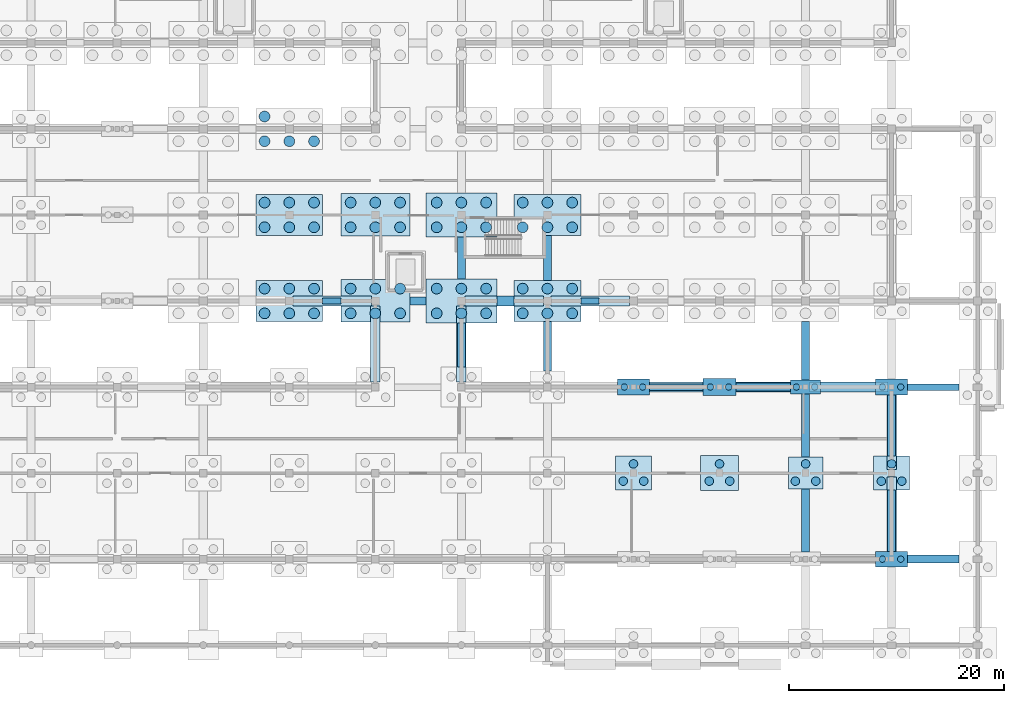
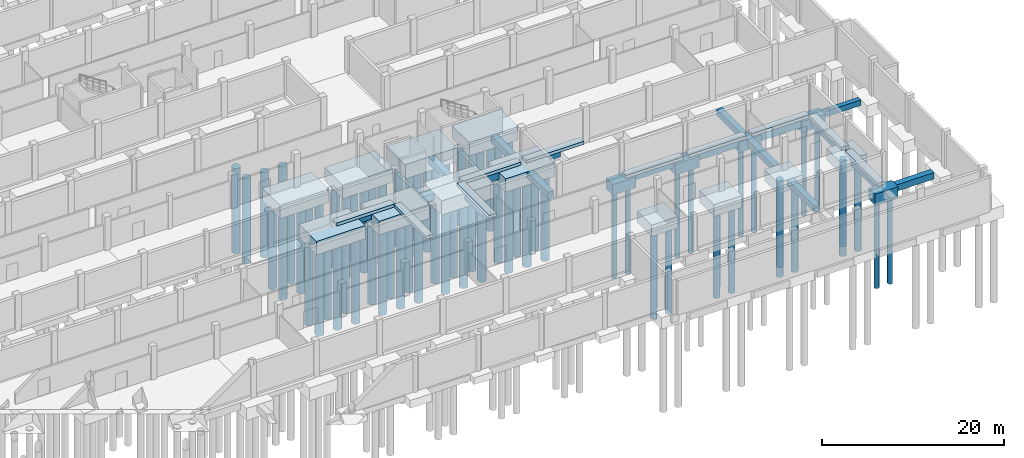
# One storey, part 12 of 51: 74 piles, 45 footings.
"""IFC4 building model written with IfcOpenShell, lengths in metres."""

from ifc_helpers import new_model, si_unit, direction, frame, origin, origin_2d, place, context, subcontext, project, spatial, rectangle, circle, extrude, material, material_profile, profile_set, type_object, element, save


model = new_model("IFC4")

# Units and contexts
model_context = context("Model", 3, precision=1e-05, world=origin(), true_north=direction((0.0, 1.0)))
body_context = subcontext(model_context, "Body", "Model", "MODEL_VIEW")
ifc_project = project(units=[si_unit("LENGTHUNIT", "METRE"), si_unit("AREAUNIT", "SQUARE_METRE"), si_unit("VOLUMEUNIT", "CUBIC_METRE"), si_unit("PLANEANGLEUNIT", "RADIAN"), si_unit("MASSUNIT", "GRAM", prefix="KILO")], contexts=[model_context])

# Site, building, storey
site_placement = place(None, origin())
site = spatial("IfcSite", under=ifc_project, at=site_placement, CompositionType="ELEMENT")
building_placement = place(site_placement, origin())
building = spatial("IfcBuilding", under=site, at=building_placement, Name="Jelvoka-Kovrelna Polytechnic", CompositionType="ELEMENT")
storey_placement = place(building_placement, frame((0.0, 0.0, -4.5)))
storey = spatial("IfcBuildingStorey", under=building, at=storey_placement, Name="B01", CompositionType="ELEMENT", Elevation=-4.5)

# Footings
ifc_material_1 = material(Name="Concrete C35/45", Category="concrete")
footing_type_1 = type_object("IfcFootingType", Name="Footing_PileCap_PC2A", PredefinedType="PILE_CAP", material=ifc_material_1)
footing_1_placement = place(storey_placement, frame((184.0, 24.0, -1.804931640625), z_axis=(0.0, 0.0, 1.0), x_axis=(1.0, 0.0, 0.0)))
element("IfcFooting", 1, at=footing_1_placement, inside=storey, type_object=footing_type_1, Name="Bored pile cap 075 (PC-2)", PredefinedType="PILE_CAP", context=body_context, shape_type="SweptSolid", body=[
    extrude(rectangle(XDim=2.800048828125, YDim=1.300048828125, at=origin_2d()), origin(), (0.0, 0.0, 1.0), 1.39990234375),
])
ifc_material_2 = material(Name="Concrete C35/45", Category="concrete")
footing_type_2 = type_object("IfcFootingType", Name="Footing_PileCap_PC2B", PredefinedType="PILE_CAP", material=ifc_material_2)
for number, where, z_axis, x_axis, name in (
    (2, (192.0, 8.0, -1.85498046875), (0.0, 0.0, 1.0), (1.0, 0.0, 0.0), "Bored pile cap 031 (PC-2)"),
    (3, (168.0, 24.0, -1.85498046875), (0.0, 0.0, 1.0), (1.0, 0.0, 0.0), "Bored pile cap 073 (PC-2)"),
    (4, (192.0, 24.0, -1.85498046875), (0.0, 0.0, 1.0), (1.0, 0.0, 0.0), "Bored pile cap 076 (PC-2)"),
):
    element("IfcFooting", number, at=place(storey_placement, frame(where, z_axis=z_axis, x_axis=x_axis)), inside=storey, type_object=footing_type_2, Name=name, PredefinedType="PILE_CAP", context=body_context, shape_type="SweptSolid", body=[
        extrude(rectangle(XDim=2.949951171875, YDim=1.449951171875, at=origin_2d()), origin(), (0.0, 0.0, 1.0), 1.449951171875),
    ])
ifc_material_3 = material(Name="Concrete C35/45", Category="concrete")
footing_type_3 = type_object("IfcFootingType", Name="Footing_PileCap_PC2C", PredefinedType="PILE_CAP", material=ifc_material_3)
footing_2_placement = place(storey_placement, frame((176.0, 24.0, -1.905029296875), z_axis=(0.0, 0.0, 1.0), x_axis=(1.0, 0.0, 0.0)))
element("IfcFooting", 5, at=footing_2_placement, inside=storey, type_object=footing_type_3, Name="Bored pile cap 074 (PC-2)", PredefinedType="PILE_CAP", context=body_context, shape_type="SweptSolid", body=[
    extrude(rectangle(XDim=3.050048828125, YDim=1.550048828125, at=origin_2d()), origin(), (0.0, 0.0, 1.0), 1.5),
])
ifc_material_4 = material(Name="Concrete C35/45", Category="concrete")
footing_type_4 = type_object("IfcFootingType", Name="Footing_PileCap_PC3A", PredefinedType="PILE_CAP", material=ifc_material_4)
footing_3_placement = place(storey_placement, frame((184.0, 16.0, -1.905029296875), z_axis=(0.0, 0.0, 1.0), x_axis=(1.0, 0.0, 0.0)))
element("IfcFooting", 6, at=footing_3_placement, inside=storey, type_object=footing_type_4, Name="Bored pile cap 051 (PC-3)", PredefinedType="PILE_CAP", context=body_context, shape_type="SweptSolid", body=[
    extrude(rectangle(XDim=3.199951171875, YDim=3.0, at=origin_2d()), origin(), (0.0, 0.0, 1.0), 1.5),
])
ifc_material_5 = material(Name="Concrete C35/45", Category="concrete")
footing_type_5 = type_object("IfcFootingType", Name="Footing_PileCap_PC3B", PredefinedType="PILE_CAP", material=ifc_material_5)
for number, where, z_axis, x_axis, name in (
    (7, (168.0, 16.0, -1.955078125), (0.0, 0.0, 1.0), (1.0, 0.0, 0.0), "Bored pile cap 049 (PC-3)"),
    (8, (192.0, 16.0, -1.955078125), (0.0, 0.0, 1.0), (1.0, 0.0, 0.0), "Bored pile cap 052 (PC-3)"),
):
    element("IfcFooting", number, at=place(storey_placement, frame(where, z_axis=z_axis, x_axis=x_axis)), inside=storey, type_object=footing_type_5, Name=name, PredefinedType="PILE_CAP", context=body_context, shape_type="SweptSolid", body=[
        extrude(rectangle(XDim=3.35009765625, YDim=3.14990234375, at=origin_2d()), origin(), (0.0, 0.0, 1.0), 1.550048828125),
    ])
ifc_material_6 = material(Name="Concrete C35/45", Category="concrete")
footing_type_6 = type_object("IfcFootingType", Name="Footing_PileCap_PC3C", PredefinedType="PILE_CAP", material=ifc_material_6)
footing_4_placement = place(storey_placement, frame((176.0, 16.0, -2.005126953125), z_axis=(0.0, 0.0, 1.0), x_axis=(1.0, 0.0, 0.0)))
element("IfcFooting", 9, at=footing_4_placement, inside=storey, type_object=footing_type_6, Name="Bored pile cap 050 (PC-3)", PredefinedType="PILE_CAP", context=body_context, shape_type="SweptSolid", body=[
    extrude(rectangle(XDim=3.5, YDim=3.25, at=origin_2d()), origin(), (0.0, 0.0, 1.0), 1.60009765625),
])
ifc_material_7 = material(Name="Concrete C35/45", Category="concrete")
footing_type_7 = type_object("IfcFootingType", Name="Footing_PileCap_PC6A", PredefinedType="PILE_CAP", material=ifc_material_7)
for number, where, z_axis, x_axis, name in (
    (10, (136.0, 32.0, -2.205078125), (0.0, 0.0, 1.0), (1.0, 0.0, 0.0), "Bored pile cap 093 (PC-6)"),
    (11, (160.0, 32.0, -2.205078125), (0.0, 0.0, 1.0), (1.0, 0.0, 0.0), "Bored pile cap 096 (PC-6)"),
    (12, (136.0, 40.0, -2.205078125), (0.0, 0.0, 1.0), (1.0, 0.0, 0.0), "Bored pile cap 120 (PC-6)"),
    (13, (160.0, 40.0, -2.205078125), (0.0, 0.0, 1.0), (1.0, 0.0, 0.0), "Bored pile cap 123 (PC-6)"),
):
    element("IfcFooting", number, at=place(storey_placement, frame(where, z_axis=z_axis, x_axis=x_axis)), inside=storey, type_object=footing_type_7, Name=name, PredefinedType="PILE_CAP", context=body_context, shape_type="SweptSolid", body=[
        extrude(rectangle(XDim=6.199951171875, YDim=3.800048828125, at=origin_2d()), origin(), (0.0, 0.0, 1.0), 1.800048828125),
    ])
ifc_material_8 = material(Name="Concrete C35/45", Category="concrete")
footing_type_8 = type_object("IfcFootingType", Name="Footing_PileCap_PC6B", PredefinedType="PILE_CAP", material=ifc_material_8)
for number, where, z_axis, x_axis, name in (
    (14, (144.0, 32.0, -2.255126953125), (0.0, 0.0, 1.0), (1.0, 0.0, 0.0), "Bored pile cap 094 (PC-6)"),
    (15, (144.0, 40.0, -2.255126953125), (0.0, 0.0, 1.0), (1.0, 0.0, 0.0), "Bored pile cap 121 (PC-6)"),
):
    element("IfcFooting", number, at=place(storey_placement, frame(where, z_axis=z_axis, x_axis=x_axis)), inside=storey, type_object=footing_type_8, Name=name, PredefinedType="PILE_CAP", context=body_context, shape_type="SweptSolid", body=[
        extrude(rectangle(XDim=6.39990234375, YDim=3.949951171875, at=origin_2d()), origin(), (0.0, 0.0, 1.0), 1.85009765625),
    ])
ifc_material_9 = material(Name="Concrete C35/45", Category="concrete")
footing_type_9 = type_object("IfcFootingType", Name="Footing_PileCap_PC6C", PredefinedType="PILE_CAP", material=ifc_material_9)
for number, where, z_axis, x_axis, name in (
    (16, (152.0, 32.0, -2.304931640625), (0.0, 0.0, 1.0), (1.0, 0.0, 0.0), "Bored pile cap 095 (PC-6)"),
    (17, (152.0, 40.0, -2.304931640625), (0.0, 0.0, 1.0), (1.0, 0.0, 0.0), "Bored pile cap 122 (PC-6)"),
):
    element("IfcFooting", number, at=place(storey_placement, frame(where, z_axis=z_axis, x_axis=x_axis)), inside=storey, type_object=footing_type_9, Name=name, PredefinedType="PILE_CAP", context=body_context, shape_type="SweptSolid", body=[
        extrude(rectangle(XDim=6.60009765625, YDim=4.10009765625, at=origin_2d()), origin(), (0.0, 0.0, 1.0), 1.89990234375),
    ])
ifc_material_10 = material(Name="Concrete C35/45", Category="concrete")
footing_type_10 = type_object("IfcFootingType", Name="Footing_Strip_SF1", PredefinedType="STRIP_FOOTING", material=ifc_material_10)
for number, where, z_axis, x_axis, name in (
    (18, (139.949951171875, 32.0, -1.155029296875), (0.0, 0.0, 1.0), (1.0, 0.0, 0.0), "Strip foundation tie beam 175"),
    (19, (163.949951171875, 32.0, -1.155029296875), (0.0, 0.0, 1.0), (1.0, 0.0, 0.0), "Strip foundation tie beam 218"),
):
    element("IfcFooting", number, at=place(storey_placement, frame(where, z_axis=z_axis, x_axis=x_axis)), inside=storey, type_object=footing_type_10, Name=name, PredefinedType="STRIP_FOOTING", context=body_context, shape_type="SweptSolid", body=[
        extrude(rectangle(XDim=1.696044921875, YDim=0.60009765625, at=origin_2d()), origin(), (0.0, 0.0, 1.0), 0.75),
    ])
footing_5_placement = place(storey_placement, frame((171.97509765625, 24.0, -1.155029296875), z_axis=(0.0, 0.0, 1.0), x_axis=(1.0, 0.0, 0.0)))
element("IfcFooting", 20, at=footing_5_placement, inside=storey, type_object=footing_type_10, Name="Strip foundation tie beam 234", PredefinedType="STRIP_FOOTING", context=body_context, shape_type="SweptSolid", body=[
    extrude(rectangle(XDim=4.99609375, YDim=0.60009765625, at=origin_2d()), origin(), (0.0, 0.0, 1.0), 0.75),
])
footing_6_placement = place(storey_placement, frame((195.862548828125, 24.0, -1.155029296875), z_axis=(0.0, 0.0, 1.0), x_axis=(1.0, 0.0, 0.0)))
element("IfcFooting", 21, at=footing_6_placement, inside=storey, type_object=footing_type_10, Name="Strip foundation tie beam 276", PredefinedType="STRIP_FOOTING", context=body_context, shape_type="SweptSolid", body=[
    extrude(rectangle(XDim=4.77099609375, YDim=0.60009765625, at=origin_2d()), origin(), (0.0, 0.0, 1.0), 0.75),
])
ifc_material_11 = material(Name="Concrete C35/45", Category="concrete")
footing_type_11 = type_object("IfcFootingType", Name="Footing_Strip_SF2", PredefinedType="STRIP_FOOTING", material=ifc_material_11)
footing_7_placement = place(storey_placement, frame((147.949951171875, 32.0, -1.255126953125), z_axis=(0.0, 0.0, 1.0), x_axis=(1.0, 0.0, 0.0)))
element("IfcFooting", 22, at=footing_7_placement, inside=storey, type_object=footing_type_11, Name="Strip foundation tie beam 184", PredefinedType="STRIP_FOOTING", context=body_context, shape_type="SweptSolid", body=[
    extrude(rectangle(XDim=1.49609375, YDim=0.75, at=origin_2d()), origin(), (0.0, 0.0, 1.0), 0.85009765625),
])
footing_8_placement = place(storey_placement, frame((152.0, 27.91259765625, -1.255126953125), z_axis=(0.0, 0.0, 1.0), x_axis=(0.0, 1.0, 0.0)))
element("IfcFooting", 23, at=footing_8_placement, inside=storey, type_object=footing_type_11, Name="Strip foundation tie beam 196", PredefinedType="STRIP_FOOTING", context=body_context, shape_type="SweptSolid", body=[
    extrude(rectangle(XDim=4.071044921875, YDim=0.75, at=origin_2d()), origin(), (0.0, 0.0, 1.0), 0.85009765625),
])
footing_9_placement = place(storey_placement, frame((152.0, 36.0, -1.255126953125), z_axis=(0.0, 0.0, 1.0), x_axis=(0.0, 1.0, 0.0)))
element("IfcFooting", 24, at=footing_9_placement, inside=storey, type_object=footing_type_11, Name="Strip foundation tie beam 198", PredefinedType="STRIP_FOOTING", context=body_context, shape_type="SweptSolid", body=[
    extrude(rectangle(XDim=3.89599609375, YDim=0.75, at=origin_2d()), origin(), (0.0, 0.0, 1.0), 0.85009765625),
])
footing_10_placement = place(storey_placement, frame((160.0, 27.800048828125, -1.255126953125), z_axis=(0.0, 0.0, 1.0), x_axis=(0.0, 1.0, 0.0)))
element("IfcFooting", 25, at=footing_10_placement, inside=storey, type_object=footing_type_11, Name="Strip foundation tie beam 217", PredefinedType="STRIP_FOOTING", context=body_context, shape_type="SweptSolid", body=[
    extrude(rectangle(XDim=4.595947265625, YDim=0.75, at=origin_2d()), origin(), (0.0, 0.0, 1.0), 0.85009765625),
])
footing_11_placement = place(storey_placement, frame((160.0, 36.0, -1.255126953125), z_axis=(0.0, 0.0, 1.0), x_axis=(0.0, 1.0, 0.0)))
element("IfcFooting", 26, at=footing_11_placement, inside=storey, type_object=footing_type_11, Name="Strip foundation tie beam 219", PredefinedType="STRIP_FOOTING", context=body_context, shape_type="SweptSolid", body=[
    extrude(rectangle(XDim=4.196044921875, YDim=0.75, at=origin_2d()), origin(), (0.0, 0.0, 1.0), 0.85009765625),
])
footing_12_placement = place(storey_placement, frame((180.0625, 24.0, -1.255126953125), z_axis=(0.0, 0.0, 1.0), x_axis=(1.0, 0.0, 0.0)))
element("IfcFooting", 27, at=footing_12_placement, inside=storey, type_object=footing_type_11, Name="Strip foundation tie beam 243", PredefinedType="STRIP_FOOTING", context=body_context, shape_type="SweptSolid", body=[
    extrude(rectangle(XDim=5.071044921875, YDim=0.75, at=origin_2d()), origin(), (0.0, 0.0, 1.0), 0.85009765625),
])
for number, where, z_axis, x_axis, name in (
    (28, (184.0, 11.574951171875, -1.255126953125), (0.0, 0.0, 1.0), (0.0, 1.0, 0.0), "Strip foundation tie beam 253"),
    (29, (184.0, 20.425048828125, -1.255126953125), (0.0, 0.0, 1.0), (0.0, 1.0, 0.0), "Strip foundation tie beam 254"),
):
    element("IfcFooting", number, at=place(storey_placement, frame(where, z_axis=z_axis, x_axis=x_axis)), inside=storey, type_object=footing_type_11, Name=name, PredefinedType="STRIP_FOOTING", context=body_context, shape_type="SweptSolid", body=[
        extrude(rectangle(XDim=5.845947265625, YDim=0.75, at=origin_2d()), origin(), (0.0, 0.0, 1.0), 0.85009765625),
    ])
footing_13_placement = place(storey_placement, frame((184.0, 27.375, -1.255126953125), z_axis=(0.0, 0.0, 1.0), x_axis=(0.0, 1.0, 0.0)))
element("IfcFooting", 30, at=footing_13_placement, inside=storey, type_object=footing_type_11, Name="Strip foundation tie beam 256", PredefinedType="STRIP_FOOTING", context=body_context, shape_type="SweptSolid", body=[
    extrude(rectangle(XDim=5.446044921875, YDim=0.75, at=origin_2d()), origin(), (0.0, 0.0, 1.0), 0.85009765625),
])
footing_14_placement = place(storey_placement, frame((195.862548828125, 8.0, -1.255126953125), z_axis=(0.0, 0.0, 1.0), x_axis=(1.0, 0.0, 0.0)))
element("IfcFooting", 31, at=footing_14_placement, inside=storey, type_object=footing_type_11, Name="Strip foundation tie beam 273", PredefinedType="STRIP_FOOTING", context=body_context, shape_type="SweptSolid", body=[
    extrude(rectangle(XDim=4.77099609375, YDim=0.75, at=origin_2d()), origin(), (0.0, 0.0, 1.0), 0.85009765625),
])
for number, where, z_axis, x_axis, name in (
    (32, (192.0, 11.574951171875, -1.255126953125), (0.0, 0.0, 1.0), (0.0, 1.0, 0.0), "Strip foundation tie beam 274"),
    (33, (192.0, 20.425048828125, -1.255126953125), (0.0, 0.0, 1.0), (0.0, 1.0, 0.0), "Strip foundation tie beam 275"),
):
    element("IfcFooting", number, at=place(storey_placement, frame(where, z_axis=z_axis, x_axis=x_axis)), inside=storey, type_object=footing_type_11, Name=name, PredefinedType="STRIP_FOOTING", context=body_context, shape_type="SweptSolid", body=[
        extrude(rectangle(XDim=5.696044921875, YDim=0.75, at=origin_2d()), origin(), (0.0, 0.0, 1.0), 0.85009765625),
    ])
ifc_material_12 = material(Name="Concrete C35/45", Category="concrete")
footing_type_12 = type_object("IfcFootingType", Name="Footing_Strip_SF3", PredefinedType="STRIP_FOOTING", material=ifc_material_12)
footing_15_placement = place(storey_placement, frame((156.10009765625, 32.0, -1.35498046875), z_axis=(0.0, 0.0, 1.0), x_axis=(1.0, 0.0, 0.0)))
element("IfcFooting", 34, at=footing_15_placement, inside=storey, type_object=footing_type_12, Name="Strip foundation tie beam 197", PredefinedType="STRIP_FOOTING", context=body_context, shape_type="SweptSolid", body=[
    extrude(rectangle(XDim=1.595947265625, YDim=0.89990234375, at=origin_2d()), origin(), (0.0, 0.0, 1.0), 0.949951171875),
])
footing_16_placement = place(storey_placement, frame((187.96240234375, 24.0, -1.35498046875), z_axis=(0.0, 0.0, 1.0), x_axis=(1.0, 0.0, 0.0)))
element("IfcFooting", 35, at=footing_16_placement, inside=storey, type_object=footing_type_12, Name="Strip foundation tie beam 255", PredefinedType="STRIP_FOOTING", context=body_context, shape_type="SweptSolid", body=[
    extrude(rectangle(XDim=5.12109375, YDim=0.89990234375, at=origin_2d()), origin(), (0.0, 0.0, 1.0), 0.949951171875),
])
for number, where, z_axis, x_axis, name in (
    (36, (172.0, 24.0, -0.40478515625), (0.0, 0.0, 1.0), (1.0, 0.0, 0.0), "Strip foundation plinth beam B01W-028"),
    (37, (180.0, 24.0, -0.40478515625), (0.0, 0.0, 1.0), (1.0, 0.0, 0.0), "Strip foundation plinth beam B01W-030"),
    (38, (188.0, 24.0, -0.40478515625), (0.0, 0.0, 1.0), (1.0, 0.0, 0.0), "Strip foundation plinth beam B01W-032"),
):
    element("IfcFooting", number, at=place(storey_placement, frame(where, z_axis=z_axis, x_axis=x_axis)), inside=storey, type_object=footing_type_12, Name=name, PredefinedType="STRIP_FOOTING", context=body_context, shape_type="SweptSolid", body=[
        extrude(rectangle(XDim=7.300048828125, YDim=0.89990234375, at=origin_2d()), origin(), (0.0, 0.0, 1.0), 0.405029296875),
    ])
for number, where, z_axis, x_axis, name in (
    (39, (192.0, 12.051025390625, -0.40478515625), (0.0, 0.0, 1.0), (0.0, 1.0, 0.0), "Strip foundation plinth beam B01W-034"),
    (40, (192.0, 19.948974609375, -0.40478515625), (0.0, 0.0, 1.0), (0.0, 1.0, 0.0), "Strip foundation plinth beam B01W-036"),
):
    element("IfcFooting", number, at=place(storey_placement, frame(where, z_axis=z_axis, x_axis=x_axis)), inside=storey, type_object=footing_type_12, Name=name, PredefinedType="STRIP_FOOTING", context=body_context, shape_type="SweptSolid", body=[
        extrude(rectangle(XDim=7.197998046875, YDim=0.89990234375, at=origin_2d()), origin(), (0.0, 0.0, 1.0), 0.405029296875),
    ])
for number, where, z_axis, x_axis, name in (
    (41, (140.0, 32.0, -0.40478515625), (0.0, 0.0, 1.0), (1.0, 0.0, 0.0), "Strip foundation plinth beam B01W-055"),
    (42, (156.0, 32.0, -0.40478515625), (0.0, 0.0, 1.0), (1.0, 0.0, 0.0), "Strip foundation plinth beam B01W-057"),
    (43, (164.0, 32.0, -0.40478515625), (0.0, 0.0, 1.0), (1.0, 0.0, 0.0), "Strip foundation plinth beam B01W-059"),
):
    element("IfcFooting", number, at=place(storey_placement, frame(where, z_axis=z_axis, x_axis=x_axis)), inside=storey, type_object=footing_type_12, Name=name, PredefinedType="STRIP_FOOTING", context=body_context, shape_type="SweptSolid", body=[
        extrude(rectangle(XDim=7.300048828125, YDim=0.89990234375, at=origin_2d()), origin(), (0.0, 0.0, 1.0), 0.405029296875),
    ])
for number, where, z_axis, x_axis, name in (
    (44, (144.0, 28.0, -0.40478515625), (0.0, 0.0, 1.0), (0.0, 1.0, 0.0), "Strip foundation plinth beam B01W-111"),
    (45, (152.0, 28.0, -0.40478515625), (0.0, 0.0, 1.0), (0.0, 1.0, 0.0), "Strip foundation plinth beam B01W-113"),
):
    element("IfcFooting", number, at=place(storey_placement, frame(where, z_axis=z_axis, x_axis=x_axis)), inside=storey, type_object=footing_type_12, Name=name, PredefinedType="STRIP_FOOTING", context=body_context, shape_type="SweptSolid", body=[
        extrude(rectangle(XDim=7.095947265625, YDim=0.89990234375, at=origin_2d()), origin(), (0.0, 0.0, 1.0), 0.405029296875),
    ])

# Piles
ifc_material_13 = material(Name="Concrete C35/45", Category="concrete")
ifc_material_profile_1 = material_profile(ifc_material_13, circle(Radius=0.5, at=origin_2d()), Name="PILE D1000")
ifc_profile_set_1 = profile_set([ifc_material_profile_1], Name="Concrete C35/45")
pile_type_1 = type_object("IfcPileType", Name="Pile_Bored_1000", PredefinedType="BORED", material=ifc_profile_set_1)
for number, where, z_axis, x_axis, name in (
    (46, (133.699951171875, 30.85009765625, -2.10498046875), (0.0, 0.0, -1.0), (1.0, 0.0, 0.0), "Bored concrete pile 093-1"),
    (47, (136.0, 30.85009765625, -2.10498046875), (0.0, 0.0, -1.0), (1.0, 0.0, 0.0), "Bored concrete pile 093-2"),
    (48, (138.300048828125, 30.85009765625, -2.10498046875), (0.0, 0.0, -1.0), (1.0, 0.0, 0.0), "Bored concrete pile 093-3"),
    (49, (133.699951171875, 33.14990234375, -2.10498046875), (0.0, 0.0, -1.0), (1.0, 0.0, 0.0), "Bored concrete pile 093-4"),
    (50, (136.0, 33.14990234375, -2.10498046875), (0.0, 0.0, -1.0), (1.0, 0.0, 0.0), "Bored concrete pile 093-5"),
    (51, (138.300048828125, 33.14990234375, -2.10498046875), (0.0, 0.0, -1.0), (1.0, 0.0, 0.0), "Bored concrete pile 093-6"),
):
    element("IfcPile", number, at=place(storey_placement, frame(where, z_axis=z_axis, x_axis=x_axis)), inside=storey, type_object=pile_type_1, Name=name, PredefinedType="BORED", context=body_context, shape_type="SweptSolid", body=[
        extrude(circle(Radius=0.5, at=origin_2d()), origin(), (0.0, 0.0, 1.0), 11.39501953125),
    ])
for number, where, z_axis, x_axis, name in (
    (52, (141.699951171875, 30.85009765625, -2.155029296875), (0.0, 0.0, -1.0), (1.0, 0.0, 0.0), "Bored concrete pile 094-1"),
    (53, (144.0, 30.85009765625, -2.155029296875), (0.0, 0.0, -1.0), (1.0, 0.0, 0.0), "Bored concrete pile 094-2"),
    (54, (146.300048828125, 30.85009765625, -2.155029296875), (0.0, 0.0, -1.0), (1.0, 0.0, 0.0), "Bored concrete pile 094-3"),
    (55, (141.699951171875, 33.14990234375, -2.155029296875), (0.0, 0.0, -1.0), (1.0, 0.0, 0.0), "Bored concrete pile 094-4"),
    (56, (144.0, 33.14990234375, -2.155029296875), (0.0, 0.0, -1.0), (1.0, 0.0, 0.0), "Bored concrete pile 094-5"),
    (57, (146.300048828125, 33.14990234375, -2.155029296875), (0.0, 0.0, -1.0), (1.0, 0.0, 0.0), "Bored concrete pile 094-6"),
):
    element("IfcPile", number, at=place(storey_placement, frame(where, z_axis=z_axis, x_axis=x_axis)), inside=storey, type_object=pile_type_1, Name=name, PredefinedType="BORED", context=body_context, shape_type="SweptSolid", body=[
        extrude(circle(Radius=0.5, at=origin_2d()), origin(), (0.0, 0.0, 1.0), 11.344970703125),
    ])
for number, where, z_axis, x_axis, name in (
    (58, (149.699951171875, 30.85009765625, -2.205078125), (0.0, 0.0, -1.0), (1.0, 0.0, 0.0), "Bored concrete pile 095-1"),
    (59, (152.0, 30.85009765625, -2.205078125), (0.0, 0.0, -1.0), (1.0, 0.0, 0.0), "Bored concrete pile 095-2"),
    (60, (154.300048828125, 30.85009765625, -2.205078125), (0.0, 0.0, -1.0), (1.0, 0.0, 0.0), "Bored concrete pile 095-3"),
    (61, (149.699951171875, 33.14990234375, -2.205078125), (0.0, 0.0, -1.0), (1.0, 0.0, 0.0), "Bored concrete pile 095-4"),
    (62, (152.0, 33.14990234375, -2.205078125), (0.0, 0.0, -1.0), (1.0, 0.0, 0.0), "Bored concrete pile 095-5"),
    (63, (154.300048828125, 33.14990234375, -2.205078125), (0.0, 0.0, -1.0), (1.0, 0.0, 0.0), "Bored concrete pile 095-6"),
):
    element("IfcPile", number, at=place(storey_placement, frame(where, z_axis=z_axis, x_axis=x_axis)), inside=storey, type_object=pile_type_1, Name=name, PredefinedType="BORED", context=body_context, shape_type="SweptSolid", body=[
        extrude(circle(Radius=0.5, at=origin_2d()), origin(), (0.0, 0.0, 1.0), 11.294921875),
    ])
for number, where, z_axis, x_axis, name in (
    (64, (157.699951171875, 30.85009765625, -2.10498046875), (0.0, 0.0, -1.0), (1.0, 0.0, 0.0), "Bored concrete pile 096-1"),
    (65, (160.0, 30.85009765625, -2.10498046875), (0.0, 0.0, -1.0), (1.0, 0.0, 0.0), "Bored concrete pile 096-2"),
    (66, (162.300048828125, 30.85009765625, -2.10498046875), (0.0, 0.0, -1.0), (1.0, 0.0, 0.0), "Bored concrete pile 096-3"),
    (67, (157.699951171875, 33.14990234375, -2.10498046875), (0.0, 0.0, -1.0), (1.0, 0.0, 0.0), "Bored concrete pile 096-4"),
    (68, (160.0, 33.14990234375, -2.10498046875), (0.0, 0.0, -1.0), (1.0, 0.0, 0.0), "Bored concrete pile 096-5"),
    (69, (162.300048828125, 33.14990234375, -2.10498046875), (0.0, 0.0, -1.0), (1.0, 0.0, 0.0), "Bored concrete pile 096-6"),
    (70, (133.699951171875, 38.85009765625, -2.10498046875), (0.0, 0.0, -1.0), (1.0, 0.0, 0.0), "Bored concrete pile 120-1"),
    (71, (136.0, 38.85009765625, -2.10498046875), (0.0, 0.0, -1.0), (1.0, 0.0, 0.0), "Bored concrete pile 120-2"),
    (72, (138.300048828125, 38.85009765625, -2.10498046875), (0.0, 0.0, -1.0), (1.0, 0.0, 0.0), "Bored concrete pile 120-3"),
    (73, (133.699951171875, 41.14990234375, -2.10498046875), (0.0, 0.0, -1.0), (1.0, 0.0, 0.0), "Bored concrete pile 120-4"),
    (74, (136.0, 41.14990234375, -2.10498046875), (0.0, 0.0, -1.0), (1.0, 0.0, 0.0), "Bored concrete pile 120-5"),
    (75, (138.300048828125, 41.14990234375, -2.10498046875), (0.0, 0.0, -1.0), (1.0, 0.0, 0.0), "Bored concrete pile 120-6"),
):
    element("IfcPile", number, at=place(storey_placement, frame(where, z_axis=z_axis, x_axis=x_axis)), inside=storey, type_object=pile_type_1, Name=name, PredefinedType="BORED", context=body_context, shape_type="SweptSolid", body=[
        extrude(circle(Radius=0.5, at=origin_2d()), origin(), (0.0, 0.0, 1.0), 11.39501953125),
    ])
for number, where, z_axis, x_axis, name in (
    (76, (141.699951171875, 38.85009765625, -2.155029296875), (0.0, 0.0, -1.0), (1.0, 0.0, 0.0), "Bored concrete pile 121-1"),
    (77, (144.0, 38.85009765625, -2.155029296875), (0.0, 0.0, -1.0), (1.0, 0.0, 0.0), "Bored concrete pile 121-2"),
    (78, (146.300048828125, 38.85009765625, -2.155029296875), (0.0, 0.0, -1.0), (1.0, 0.0, 0.0), "Bored concrete pile 121-3"),
    (79, (141.699951171875, 41.14990234375, -2.155029296875), (0.0, 0.0, -1.0), (1.0, 0.0, 0.0), "Bored concrete pile 121-4"),
    (80, (144.0, 41.14990234375, -2.155029296875), (0.0, 0.0, -1.0), (1.0, 0.0, 0.0), "Bored concrete pile 121-5"),
    (81, (146.300048828125, 41.14990234375, -2.155029296875), (0.0, 0.0, -1.0), (1.0, 0.0, 0.0), "Bored concrete pile 121-6"),
):
    element("IfcPile", number, at=place(storey_placement, frame(where, z_axis=z_axis, x_axis=x_axis)), inside=storey, type_object=pile_type_1, Name=name, PredefinedType="BORED", context=body_context, shape_type="SweptSolid", body=[
        extrude(circle(Radius=0.5, at=origin_2d()), origin(), (0.0, 0.0, 1.0), 11.344970703125),
    ])
for number, where, z_axis, x_axis, name in (
    (82, (149.699951171875, 38.85009765625, -2.205078125), (0.0, 0.0, -1.0), (1.0, 0.0, 0.0), "Bored concrete pile 122-1"),
    (83, (152.0, 38.85009765625, -2.205078125), (0.0, 0.0, -1.0), (1.0, 0.0, 0.0), "Bored concrete pile 122-2"),
    (84, (154.300048828125, 38.85009765625, -2.205078125), (0.0, 0.0, -1.0), (1.0, 0.0, 0.0), "Bored concrete pile 122-3"),
    (85, (149.699951171875, 41.14990234375, -2.205078125), (0.0, 0.0, -1.0), (1.0, 0.0, 0.0), "Bored concrete pile 122-4"),
    (86, (152.0, 41.14990234375, -2.205078125), (0.0, 0.0, -1.0), (1.0, 0.0, 0.0), "Bored concrete pile 122-5"),
    (87, (154.300048828125, 41.14990234375, -2.205078125), (0.0, 0.0, -1.0), (1.0, 0.0, 0.0), "Bored concrete pile 122-6"),
):
    element("IfcPile", number, at=place(storey_placement, frame(where, z_axis=z_axis, x_axis=x_axis)), inside=storey, type_object=pile_type_1, Name=name, PredefinedType="BORED", context=body_context, shape_type="SweptSolid", body=[
        extrude(circle(Radius=0.5, at=origin_2d()), origin(), (0.0, 0.0, 1.0), 11.294921875),
    ])
for number, where, z_axis, x_axis, name in (
    (88, (157.699951171875, 38.85009765625, -2.10498046875), (0.0, 0.0, -1.0), (1.0, 0.0, 0.0), "Bored concrete pile 123-1"),
    (89, (160.0, 38.85009765625, -2.10498046875), (0.0, 0.0, -1.0), (1.0, 0.0, 0.0), "Bored concrete pile 123-2"),
    (90, (162.300048828125, 38.85009765625, -2.10498046875), (0.0, 0.0, -1.0), (1.0, 0.0, 0.0), "Bored concrete pile 123-3"),
    (91, (157.699951171875, 41.14990234375, -2.10498046875), (0.0, 0.0, -1.0), (1.0, 0.0, 0.0), "Bored concrete pile 123-4"),
    (92, (160.0, 41.14990234375, -2.10498046875), (0.0, 0.0, -1.0), (1.0, 0.0, 0.0), "Bored concrete pile 123-5"),
    (93, (162.300048828125, 41.14990234375, -2.10498046875), (0.0, 0.0, -1.0), (1.0, 0.0, 0.0), "Bored concrete pile 123-6"),
    (94, (133.699951171875, 46.85009765625, -2.10498046875), (0.0, 0.0, -1.0), (1.0, 0.0, 0.0), "Bored concrete pile 144-1"),
    (95, (136.0, 46.85009765625, -2.10498046875), (0.0, 0.0, -1.0), (1.0, 0.0, 0.0), "Bored concrete pile 144-2"),
    (96, (138.300048828125, 46.85009765625, -2.10498046875), (0.0, 0.0, -1.0), (1.0, 0.0, 0.0), "Bored concrete pile 144-3"),
    (97, (133.699951171875, 49.14990234375, -2.10498046875), (0.0, 0.0, -1.0), (1.0, 0.0, 0.0), "Bored concrete pile 144-4"),
):
    element("IfcPile", number, at=place(storey_placement, frame(where, z_axis=z_axis, x_axis=x_axis)), inside=storey, type_object=pile_type_1, Name=name, PredefinedType="BORED", context=body_context, shape_type="SweptSolid", body=[
        extrude(circle(Radius=0.5, at=origin_2d()), origin(), (0.0, 0.0, 1.0), 11.39501953125),
    ])
ifc_material_14 = material(Name="Concrete C35/45", Category="concrete")
ifc_material_profile_2 = material_profile(ifc_material_14, circle(Radius=0.300048828125, at=origin_2d()), Name="PILE D600")
ifc_profile_set_2 = profile_set([ifc_material_profile_2], Name="Concrete C35/45")
pile_type_2 = type_object("IfcPileType", Name="Pile_Bored_600", PredefinedType="BORED", material=ifc_profile_set_2)
for number, where, z_axis, x_axis, name in (
    (98, (191.14990234375, 8.0, -1.7548828125), (0.0, 0.0, -1.0), (1.0, 0.0, 0.0), "Bored concrete pile 031-1"),
    (99, (192.85009765625, 8.0, -1.7548828125), (0.0, 0.0, -1.0), (1.0, 0.0, 0.0), "Bored concrete pile 031-2"),
    (100, (167.14990234375, 24.0, -1.7548828125), (0.0, 0.0, -1.0), (1.0, 0.0, 0.0), "Bored concrete pile 073-1"),
    (101, (168.85009765625, 24.0, -1.7548828125), (0.0, 0.0, -1.0), (1.0, 0.0, 0.0), "Bored concrete pile 073-2"),
):
    element("IfcPile", number, at=place(storey_placement, frame(where, z_axis=z_axis, x_axis=x_axis)), inside=storey, type_object=pile_type_2, Name=name, PredefinedType="BORED", context=body_context, shape_type="SweptSolid", body=[
        extrude(circle(Radius=0.300048828125, at=origin_2d()), origin(), (0.0, 0.0, 1.0), 11.7451171875),
    ])
for number, where, z_axis, x_axis, name in (
    (102, (175.14990234375, 24.0, -1.804931640625), (0.0, 0.0, -1.0), (1.0, 0.0, 0.0), "Bored concrete pile 074-1"),
    (103, (176.85009765625, 24.0, -1.804931640625), (0.0, 0.0, -1.0), (1.0, 0.0, 0.0), "Bored concrete pile 074-2"),
):
    element("IfcPile", number, at=place(storey_placement, frame(where, z_axis=z_axis, x_axis=x_axis)), inside=storey, type_object=pile_type_2, Name=name, PredefinedType="BORED", context=body_context, shape_type="SweptSolid", body=[
        extrude(circle(Radius=0.300048828125, at=origin_2d()), origin(), (0.0, 0.0, 1.0), 11.695068359375),
    ])
for number, where, z_axis, x_axis, name in (
    (104, (183.14990234375, 24.0, -1.705078125), (0.0, 0.0, -1.0), (1.0, 0.0, 0.0), "Bored concrete pile 075-1"),
    (105, (184.85009765625, 24.0, -1.705078125), (0.0, 0.0, -1.0), (1.0, 0.0, 0.0), "Bored concrete pile 075-2"),
):
    element("IfcPile", number, at=place(storey_placement, frame(where, z_axis=z_axis, x_axis=x_axis)), inside=storey, type_object=pile_type_2, Name=name, PredefinedType="BORED", context=body_context, shape_type="SweptSolid", body=[
        extrude(circle(Radius=0.300048828125, at=origin_2d()), origin(), (0.0, 0.0, 1.0), 11.794921875),
    ])
for number, where, z_axis, x_axis, name in (
    (106, (191.14990234375, 24.0, -1.7548828125), (0.0, 0.0, -1.0), (1.0, 0.0, 0.0), "Bored concrete pile 076-1"),
    (107, (192.85009765625, 24.0, -1.7548828125), (0.0, 0.0, -1.0), (1.0, 0.0, 0.0), "Bored concrete pile 076-2"),
):
    element("IfcPile", number, at=place(storey_placement, frame(where, z_axis=z_axis, x_axis=x_axis)), inside=storey, type_object=pile_type_2, Name=name, PredefinedType="BORED", context=body_context, shape_type="SweptSolid", body=[
        extrude(circle(Radius=0.300048828125, at=origin_2d()), origin(), (0.0, 0.0, 1.0), 11.7451171875),
    ])
ifc_material_15 = material(Name="Concrete C35/45", Category="concrete")
ifc_material_profile_3 = material_profile(ifc_material_15, circle(Radius=0.39990234375, at=origin_2d()), Name="PILE D800")
ifc_profile_set_3 = profile_set([ifc_material_profile_3], Name="Concrete C35/45")
pile_type_3 = type_object("IfcPileType", Name="Pile_Bored_800", PredefinedType="BORED", material=ifc_profile_set_3)
for number, where, z_axis, x_axis, name in (
    (108, (167.050048828125, 15.25, -1.85498046875), (0.0, 0.0, -1.0), (1.0, 0.0, 0.0), "Bored concrete pile 049-1"),
    (109, (168.949951171875, 15.25, -1.85498046875), (0.0, 0.0, -1.0), (1.0, 0.0, 0.0), "Bored concrete pile 049-2"),
    (110, (168.0, 16.85009765625, -1.85498046875), (0.0, 0.0, -1.0), (1.0, 0.0, 0.0), "Bored concrete pile 049-3"),
):
    element("IfcPile", number, at=place(storey_placement, frame(where, z_axis=z_axis, x_axis=x_axis)), inside=storey, type_object=pile_type_3, Name=name, PredefinedType="BORED", context=body_context, shape_type="SweptSolid", body=[
        extrude(circle(Radius=0.39990234375, at=origin_2d()), origin(), (0.0, 0.0, 1.0), 11.64501953125),
    ])
for number, where, z_axis, x_axis, name in (
    (111, (175.050048828125, 15.25, -1.905029296875), (0.0, 0.0, -1.0), (1.0, 0.0, 0.0), "Bored concrete pile 050-1"),
    (112, (176.949951171875, 15.25, -1.905029296875), (0.0, 0.0, -1.0), (1.0, 0.0, 0.0), "Bored concrete pile 050-2"),
    (113, (176.0, 16.85009765625, -1.905029296875), (0.0, 0.0, -1.0), (1.0, 0.0, 0.0), "Bored concrete pile 050-3"),
):
    element("IfcPile", number, at=place(storey_placement, frame(where, z_axis=z_axis, x_axis=x_axis)), inside=storey, type_object=pile_type_3, Name=name, PredefinedType="BORED", context=body_context, shape_type="SweptSolid", body=[
        extrude(circle(Radius=0.39990234375, at=origin_2d()), origin(), (0.0, 0.0, 1.0), 11.594970703125),
    ])
for number, where, z_axis, x_axis, name in (
    (114, (183.050048828125, 15.25, -1.804931640625), (0.0, 0.0, -1.0), (1.0, 0.0, 0.0), "Bored concrete pile 051-1"),
    (115, (184.949951171875, 15.25, -1.804931640625), (0.0, 0.0, -1.0), (1.0, 0.0, 0.0), "Bored concrete pile 051-2"),
    (116, (184.0, 16.85009765625, -1.804931640625), (0.0, 0.0, -1.0), (1.0, 0.0, 0.0), "Bored concrete pile 051-3"),
):
    element("IfcPile", number, at=place(storey_placement, frame(where, z_axis=z_axis, x_axis=x_axis)), inside=storey, type_object=pile_type_3, Name=name, PredefinedType="BORED", context=body_context, shape_type="SweptSolid", body=[
        extrude(circle(Radius=0.39990234375, at=origin_2d()), origin(), (0.0, 0.0, 1.0), 11.695068359375),
    ])
for number, where, z_axis, x_axis, name in (
    (117, (191.050048828125, 15.25, -1.85498046875), (0.0, 0.0, -1.0), (1.0, 0.0, 0.0), "Bored concrete pile 052-1"),
    (118, (192.949951171875, 15.25, -1.85498046875), (0.0, 0.0, -1.0), (1.0, 0.0, 0.0), "Bored concrete pile 052-2"),
    (119, (192.0, 16.85009765625, -1.85498046875), (0.0, 0.0, -1.0), (1.0, 0.0, 0.0), "Bored concrete pile 052-3"),
):
    element("IfcPile", number, at=place(storey_placement, frame(where, z_axis=z_axis, x_axis=x_axis)), inside=storey, type_object=pile_type_3, Name=name, PredefinedType="BORED", context=body_context, shape_type="SweptSolid", body=[
        extrude(circle(Radius=0.39990234375, at=origin_2d()), origin(), (0.0, 0.0, 1.0), 11.64501953125),
    ])

save(model, "model.ifc")
